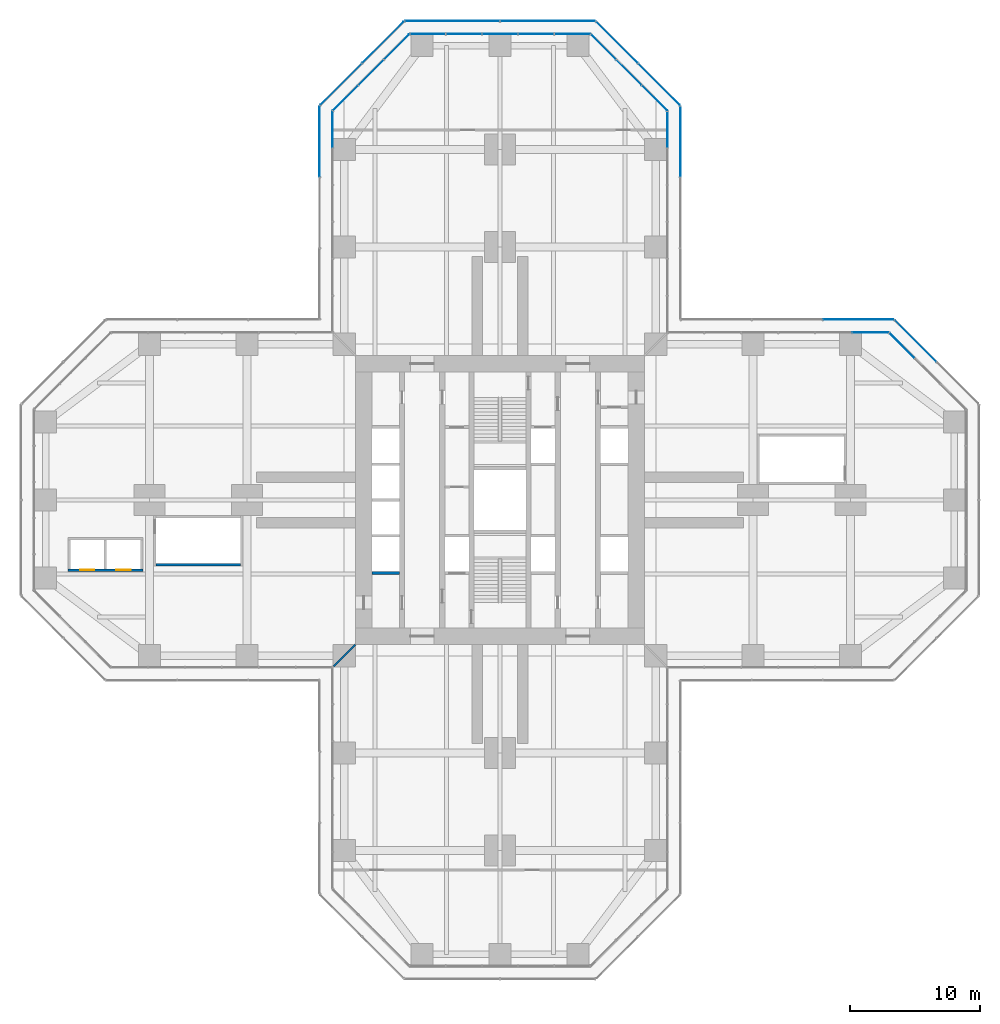
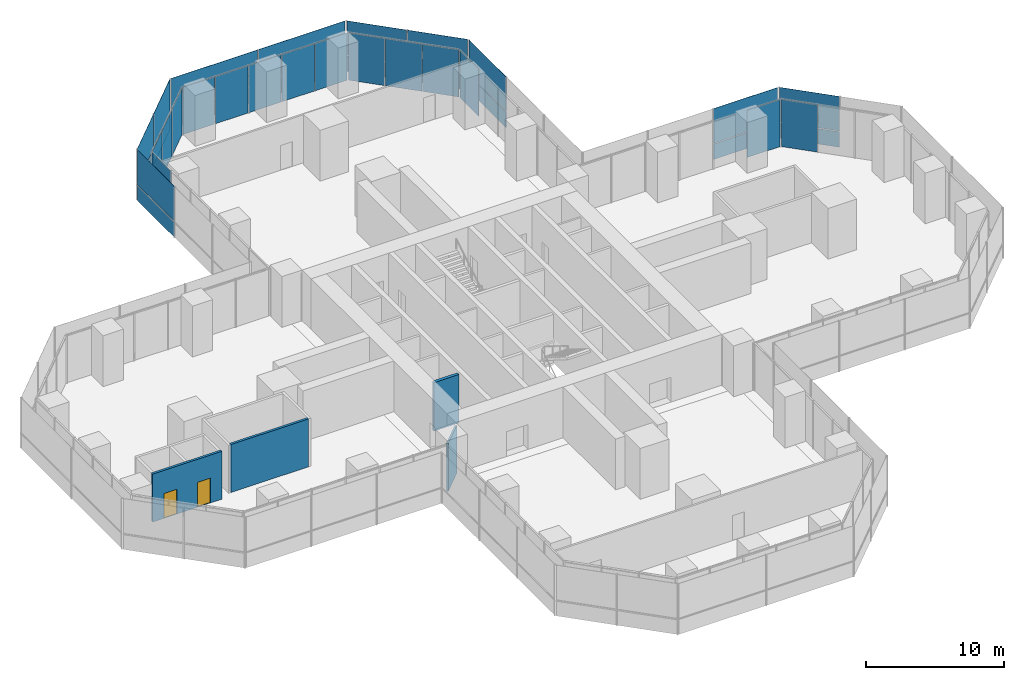
# One storey, part 16 of 21: 35 plates, 4 walls, 2 doors, 2 openings, 14 elements without a shape of their own.
"""IFC4 building model written with IfcOpenShell, lengths in metres."""

from ifc_helpers import new_model, si_unit, direction, frame, frame_2d, origin, origin_2d, place, context, subcontext, project, spatial, rectangle, extrude, material, layer, layer_set, type_object, element, fill, aggregate, save


model = new_model("IFC4")

# Units and contexts
model_context = context("Model", 3, precision=1e-05, world=origin(), true_north=direction((0.0, 1.0)))
body_context = subcontext(model_context, "Body", "Model", "MODEL_VIEW")
ifc_project = project(units=[si_unit("LENGTHUNIT", "METRE"), si_unit("AREAUNIT", "SQUARE_METRE"), si_unit("VOLUMEUNIT", "CUBIC_METRE"), si_unit("PLANEANGLEUNIT", "RADIAN"), si_unit("MASSUNIT", "GRAM", prefix="KILO")], contexts=[model_context])

# Site, building, storey
site_placement = place(None, origin())
site = spatial("IfcSite", under=ifc_project, at=site_placement, CompositionType="ELEMENT")
building_placement = place(site_placement, origin())
building = spatial("IfcBuilding", under=site, at=building_placement, Name="Mizan Broadcast Tower", CompositionType="ELEMENT")
storey_placement = place(building_placement, frame((0.0, 0.0, 33.0)))
storey = spatial("IfcBuildingStorey", under=building, at=storey_placement, Name="L05", CompositionType="ELEMENT", Elevation=33.0)

# Curtain wall, plates
ifc_material_1 = material(Name="Aluminium framed glazing", Category="aluminium")
curtain_wall_type_1 = type_object("IfcCurtainWallType", Name="OUTER SKIN", PredefinedType="USERDEFINED", material=ifc_material_1)
curtain_wall_1_placement = place(storey_placement, origin())
curtain_wall_1 = element("IfcCurtainWall", 1, at=curtain_wall_1_placement, inside=storey, type_object=curtain_wall_type_1, Name="Outer skin L05 E side", ObjectType="OUTER SKIN", PredefinedType="USERDEFINED")
ifc_material_2 = material(Name="Laminated clear glass", Category="glass")
ifc_layer_1 = layer(ifc_material_2, 0.02001953125)
ifc_layer_set_1 = layer_set([ifc_layer_1], Name="Laminated clear glass")
plate_type_1 = type_object("IfcPlateType", Name="OUTER SKIN CLEAR GLASS", PredefinedType="CURTAIN_PANEL", material=ifc_layer_set_1)
plate_1_placement = place(storey_placement, frame((27.607421875, 13.89990234375, 0.0), z_axis=(0.0, 0.0, 1.0), x_axis=(-1.0, 0.0, 0.0)))
plate_1 = element("IfcPlate", 2, at=plate_1_placement, type_object=plate_type_1, Name="Outer skin L05 E side panel 1.1", PredefinedType="CURTAIN_PANEL", context=body_context, shape_type="SweptSolid", body=[
    extrude(rectangle(XDim=5.370849609375, YDim=0.02001953125, at=origin_2d()), origin(), (0.0, 0.0, 1.0), 1.3701171875),
])
plate_2_placement = place(storey_placement, frame((27.607421875, 13.89990234375, 1.43017578125), z_axis=(0.0, 0.0, 1.0), x_axis=(-1.0, 0.0, 0.0)))
plate_2 = element("IfcPlate", 3, at=plate_2_placement, type_object=plate_type_1, Name="Outer skin L05 E side panel 1.2", PredefinedType="CURTAIN_PANEL", context=body_context, shape_type="SweptSolid", body=[
    extrude(rectangle(XDim=5.370849609375, YDim=0.02001953125, at=origin_2d()), origin(), (0.0, 0.0, 1.0), 3.070068359375),
])
aggregate(curtain_wall_1, [plate_1, plate_2])

curtain_wall_2_placement = place(storey_placement, origin())
curtain_wall_2 = element("IfcCurtainWall", 4, at=curtain_wall_2_placement, inside=storey, type_object=curtain_wall_type_1, Name="Outer skin L05 N side", ObjectType="OUTER SKIN", PredefinedType="USERDEFINED")
plate_3_placement = place(storey_placement, frame((13.89990234375, 27.607421875, 0.0), z_axis=(0.0, 0.0, 1.0), x_axis=(0.0, 1.0, 0.0)))
plate_3 = element("IfcPlate", 5, at=plate_3_placement, type_object=plate_type_1, Name="Outer skin L05 N side panel 3.1", PredefinedType="CURTAIN_PANEL", context=body_context, shape_type="SweptSolid", body=[
    extrude(rectangle(XDim=5.370849609375, YDim=0.02001953125, at=origin_2d()), origin(), (0.0, 0.0, 1.0), 1.3701171875),
])
plate_4_placement = place(storey_placement, frame((13.89990234375, 27.607421875, 1.43017578125), z_axis=(0.0, 0.0, 1.0), x_axis=(0.0, 1.0, 0.0)))
plate_4 = element("IfcPlate", 6, at=plate_4_placement, type_object=plate_type_1, Name="Outer skin L05 N side panel 3.2", PredefinedType="CURTAIN_PANEL", context=body_context, shape_type="SweptSolid", body=[
    extrude(rectangle(XDim=5.370849609375, YDim=0.02001953125, at=origin_2d()), origin(), (0.0, 0.0, 1.0), 3.070068359375),
])
aggregate(curtain_wall_2, [plate_3, plate_4])

curtain_wall_3_placement = place(storey_placement, origin())
curtain_wall_3 = element("IfcCurtainWall", 7, at=curtain_wall_3_placement, inside=storey, type_object=curtain_wall_type_1, Name="Outer skin L05 N chamfer", ObjectType="OUTER SKIN", PredefinedType="USERDEFINED")
plate_5_placement = place(storey_placement, frame((12.254150390625, 32.018798828125, 0.0), z_axis=(0.0, 0.0, 1.0), x_axis=(-0.707106781187, 0.707106781187, 0.0)))
plate_5 = element("IfcPlate", 8, at=plate_5_placement, type_object=plate_type_1, Name="Outer skin L05 N chamfer panel 1.1", PredefinedType="CURTAIN_PANEL", context=body_context, shape_type="SweptSolid", body=[
    extrude(rectangle(XDim=4.495361328125, YDim=0.02001953125, at=origin_2d()), origin(), (0.0, 0.0, 1.0), 1.3701171875),
])
plate_6_placement = place(storey_placement, frame((12.254150390625, 32.018798828125, 1.43017578125), z_axis=(0.0, 0.0, 1.0), x_axis=(-0.707106781187, 0.707106781187, 0.0)))
plate_6 = element("IfcPlate", 9, at=plate_6_placement, type_object=plate_type_1, Name="Outer skin L05 N chamfer panel 1.2", PredefinedType="CURTAIN_PANEL", context=body_context, shape_type="SweptSolid", body=[
    extrude(rectangle(XDim=4.495361328125, YDim=0.02001953125, at=origin_2d()), origin(), (0.0, 0.0, 1.0), 3.070068359375),
])

curtain_wall_4_placement = place(storey_placement, origin())
curtain_wall_4 = element("IfcCurtainWall", 10, at=curtain_wall_4_placement, inside=storey, type_object=curtain_wall_type_1, Name="Outer skin L05 N end", ObjectType="OUTER SKIN", PredefinedType="USERDEFINED")
plate_7_placement = place(storey_placement, frame((3.66650390625, 36.89990234375, 0.0), z_axis=(0.0, 0.0, 1.0), x_axis=(-1.0, 0.0, 0.0)))
plate_7 = element("IfcPlate", 11, at=plate_7_placement, type_object=plate_type_1, Name="Outer skin L05 N end panel 1.1", PredefinedType="CURTAIN_PANEL", context=body_context, shape_type="SweptSolid", body=[
    extrude(rectangle(XDim=7.252685546875, YDim=0.02001953125, at=origin_2d()), origin(), (0.0, 0.0, 1.0), 1.3701171875),
])
plate_8_placement = place(storey_placement, frame((3.66650390625, 36.89990234375, 1.43017578125), z_axis=(0.0, 0.0, 1.0), x_axis=(-1.0, 0.0, 0.0)))
plate_8 = element("IfcPlate", 12, at=plate_8_placement, type_object=plate_type_1, Name="Outer skin L05 N end panel 1.2", PredefinedType="CURTAIN_PANEL", context=body_context, shape_type="SweptSolid", body=[
    extrude(rectangle(XDim=7.252685546875, YDim=0.02001953125, at=origin_2d()), origin(), (0.0, 0.0, 1.0), 3.070068359375),
])
plate_9_placement = place(storey_placement, frame((-3.66650390625, 36.89990234375, 0.0), z_axis=(0.0, 0.0, 1.0), x_axis=(-1.0, 0.0, 0.0)))
plate_9 = element("IfcPlate", 13, at=plate_9_placement, type_object=plate_type_1, Name="Outer skin L05 N end panel 2.1", PredefinedType="CURTAIN_PANEL", context=body_context, shape_type="SweptSolid", body=[
    extrude(rectangle(XDim=7.252685546875, YDim=0.02001953125, at=origin_2d()), origin(), (0.0, 0.0, 1.0), 1.3701171875),
])
plate_10_placement = place(storey_placement, frame((-3.66650390625, 36.89990234375, 1.43017578125), z_axis=(0.0, 0.0, 1.0), x_axis=(-1.0, 0.0, 0.0)))
plate_10 = element("IfcPlate", 14, at=plate_10_placement, type_object=plate_type_1, Name="Outer skin L05 N end panel 2.2", PredefinedType="CURTAIN_PANEL", context=body_context, shape_type="SweptSolid", body=[
    extrude(rectangle(XDim=7.252685546875, YDim=0.02001953125, at=origin_2d()), origin(), (0.0, 0.0, 1.0), 3.070068359375),
])
aggregate(curtain_wall_4, [plate_7, plate_8, plate_9, plate_10])

curtain_wall_5_placement = place(storey_placement, origin())
curtain_wall_5 = element("IfcCurtainWall", 15, at=curtain_wall_5_placement, inside=storey, type_object=curtain_wall_type_1, Name="Outer skin L05 N chamfer", ObjectType="OUTER SKIN", PredefinedType="USERDEFINED")
plate_11_placement = place(storey_placement, frame((-9.018798828125, 35.254150390625, 0.0), z_axis=(0.0, 0.0, 1.0), x_axis=(-0.707106781187, -0.707106781187, 0.0)))
plate_11 = element("IfcPlate", 16, at=plate_11_placement, type_object=plate_type_1, Name="Outer skin L05 N chamfer panel 1.1", PredefinedType="CURTAIN_PANEL", context=body_context, shape_type="SweptSolid", body=[
    extrude(rectangle(XDim=4.495361328125, YDim=0.02001953125, at=origin_2d()), origin(), (0.0, 0.0, 1.0), 1.3701171875),
])
plate_12_placement = place(storey_placement, frame((-9.018798828125, 35.254150390625, 1.43017578125), z_axis=(0.0, 0.0, 1.0), x_axis=(-0.707106781187, -0.707106781187, 0.0)))
plate_12 = element("IfcPlate", 17, at=plate_12_placement, type_object=plate_type_1, Name="Outer skin L05 N chamfer panel 1.2", PredefinedType="CURTAIN_PANEL", context=body_context, shape_type="SweptSolid", body=[
    extrude(rectangle(XDim=4.495361328125, YDim=0.02001953125, at=origin_2d()), origin(), (0.0, 0.0, 1.0), 3.070068359375),
])

curtain_wall_6_placement = place(storey_placement, origin())
curtain_wall_6 = element("IfcCurtainWall", 18, at=curtain_wall_6_placement, inside=storey, type_object=curtain_wall_type_1, Name="Outer skin L05 N side", ObjectType="OUTER SKIN", PredefinedType="USERDEFINED")
plate_13_placement = place(storey_placement, frame((-13.89990234375, 27.607421875, 0.0), z_axis=(0.0, 0.0, 1.0), x_axis=(0.0, -1.0, 0.0)))
plate_13 = element("IfcPlate", 19, at=plate_13_placement, type_object=plate_type_1, Name="Outer skin L05 N side panel 1.1", PredefinedType="CURTAIN_PANEL", context=body_context, shape_type="SweptSolid", body=[
    extrude(rectangle(XDim=5.370849609375, YDim=0.02001953125, at=origin_2d()), origin(), (0.0, 0.0, 1.0), 1.3701171875),
])
plate_14_placement = place(storey_placement, frame((-13.89990234375, 27.607421875, 1.43017578125), z_axis=(0.0, 0.0, 1.0), x_axis=(0.0, -1.0, 0.0)))
plate_14 = element("IfcPlate", 20, at=plate_14_placement, type_object=plate_type_1, Name="Outer skin L05 N side panel 1.2", PredefinedType="CURTAIN_PANEL", context=body_context, shape_type="SweptSolid", body=[
    extrude(rectangle(XDim=5.370849609375, YDim=0.02001953125, at=origin_2d()), origin(), (0.0, 0.0, 1.0), 3.070068359375),
])
aggregate(curtain_wall_6, [plate_13, plate_14])

curtain_wall_7_placement = place(storey_placement, origin())
curtain_wall_7 = element("IfcCurtainWall", 21, at=curtain_wall_7_placement, inside=storey, type_object=curtain_wall_type_1, Name="Outer skin L05 E chamfer", ObjectType="OUTER SKIN", PredefinedType="USERDEFINED")
ifc_material_3 = material(Name="Perforated aluminium, pale anodised", Category="aluminium")
ifc_layer_2 = layer(ifc_material_3, 0.011962890625)
ifc_layer_set_2 = layer_set([ifc_layer_2], Name="Perforated aluminium, pale anodised")
plate_type_2 = type_object("IfcPlateType", Name="OUTER SKIN PERFORATED SCREEN", PredefinedType="USERDEFINED", material=ifc_layer_set_2)
plate_15_placement = place(storey_placement, frame((32.018798828125, 12.254150390625, 0.0), z_axis=(0.0, 0.0, 1.0), x_axis=(-0.707106781187, 0.707106781187, 0.0)))
plate_15 = element("IfcPlate", 22, at=plate_15_placement, type_object=plate_type_2, Name="Outer skin L05 E chamfer panel 2.1", ObjectType="SCREEN", PredefinedType="USERDEFINED", context=body_context, shape_type="SweptSolid", body=[
    extrude(rectangle(XDim=4.495361328125, YDim=0.011962890625, at=origin_2d()), origin(), (0.0, 0.0, 1.0), 1.3701171875),
])
plate_16_placement = place(storey_placement, frame((32.018798828125, 12.254150390625, 1.43017578125), z_axis=(0.0, 0.0, 1.0), x_axis=(-0.707106781187, 0.707106781187, 0.0)))
plate_16 = element("IfcPlate", 23, at=plate_16_placement, type_object=plate_type_2, Name="Outer skin L05 E chamfer panel 2.2", ObjectType="SCREEN", PredefinedType="USERDEFINED", context=body_context, shape_type="SweptSolid", body=[
    extrude(rectangle(XDim=4.495361328125, YDim=0.011962890625, at=origin_2d()), origin(), (0.0, 0.0, 1.0), 3.070068359375),
])
aggregate(curtain_wall_7, [plate_15, plate_16])

# Plate
plate_17_placement = place(storey_placement, frame((9.018798828125, 35.254150390625, 0.0), z_axis=(0.0, 0.0, 1.0), x_axis=(-0.707106781187, 0.707106781187, 0.0)))
plate_17 = element("IfcPlate", 24, at=plate_17_placement, type_object=plate_type_2, Name="Outer skin L05 N chamfer panel 2.1", ObjectType="SCREEN", PredefinedType="USERDEFINED", context=body_context, shape_type="SweptSolid", body=[
    extrude(rectangle(XDim=4.495361328125, YDim=0.011962890625, at=origin_2d()), origin(), (0.0, 0.0, 1.0), 1.3701171875),
])

plate_18_placement = place(storey_placement, frame((9.018798828125, 35.254150390625, 1.43017578125), z_axis=(0.0, 0.0, 1.0), x_axis=(-0.707106781187, 0.707106781187, 0.0)))
plate_18 = element("IfcPlate", 25, at=plate_18_placement, type_object=plate_type_2, Name="Outer skin L05 N chamfer panel 2.2", ObjectType="SCREEN", PredefinedType="USERDEFINED", context=body_context, shape_type="SweptSolid", body=[
    extrude(rectangle(XDim=4.495361328125, YDim=0.011962890625, at=origin_2d()), origin(), (0.0, 0.0, 1.0), 3.070068359375),
])

aggregate(curtain_wall_3, [plate_5, plate_6, plate_17, plate_18])

plate_19_placement = place(storey_placement, frame((-12.254150390625, 32.018798828125, 0.0), z_axis=(0.0, 0.0, 1.0), x_axis=(-0.707106781187, -0.707106781187, 0.0)))
plate_19 = element("IfcPlate", 26, at=plate_19_placement, type_object=plate_type_2, Name="Outer skin L05 N chamfer panel 2.1", ObjectType="SCREEN", PredefinedType="USERDEFINED", context=body_context, shape_type="SweptSolid", body=[
    extrude(rectangle(XDim=4.495361328125, YDim=0.011962890625, at=origin_2d()), origin(), (0.0, 0.0, 1.0), 1.3701171875),
])

plate_20_placement = place(storey_placement, frame((-12.254150390625, 32.018798828125, 1.43017578125), z_axis=(0.0, 0.0, 1.0), x_axis=(-0.707106781187, -0.707106781187, 0.0)))
plate_20 = element("IfcPlate", 27, at=plate_20_placement, type_object=plate_type_2, Name="Outer skin L05 N chamfer panel 2.2", ObjectType="SCREEN", PredefinedType="USERDEFINED", context=body_context, shape_type="SweptSolid", body=[
    extrude(rectangle(XDim=4.495361328125, YDim=0.011962890625, at=origin_2d()), origin(), (0.0, 0.0, 1.0), 3.070068359375),
])

aggregate(curtain_wall_5, [plate_11, plate_12, plate_19, plate_20])

# Curtain wall, plate
ifc_material_4 = material(Name="Aluminium framed glazing", Category="aluminium")
curtain_wall_type_2 = type_object("IfcCurtainWallType", Name="PODIUM CURTAIN WALL", PredefinedType="USERDEFINED", material=ifc_material_4)
curtain_wall_8_placement = place(storey_placement, origin())
curtain_wall_8 = element("IfcCurtainWall", 28, at=curtain_wall_8_placement, inside=storey, type_object=curtain_wall_type_2, Name="Podium curtain wall L05 E chamfer", ObjectType="PODIUM CURTAIN WALL", PredefinedType="USERDEFINED")
ifc_material_5 = material(Name="Double glazing, clear laminated", Category="glass")
ifc_layer_3 = layer(ifc_material_5, 0.031982421875)
ifc_layer_set_3 = layer_set([ifc_layer_3], Name="Double glazing, clear laminated")
plate_type_3 = type_object("IfcPlateType", Name="PODIUM GLAZING UNIT", PredefinedType="CURTAIN_PANEL", material=ifc_layer_set_3)
plate_21_placement = place(storey_placement, frame((30.95947265625, 11.899169921875, 0.0), z_axis=(0.0, 0.0, 1.0), x_axis=(-0.707106781187, 0.707106781187, 0.0)))
plate_21 = element("IfcPlate", 29, at=plate_21_placement, type_object=plate_type_3, Name="Podium curtain wall L05 E chamfer panel 3.1", PredefinedType="CURTAIN_PANEL", context=body_context, shape_type="SweptSolid", body=[
    extrude(rectangle(XDim=2.710693359375, YDim=0.031982421875, at=origin_2d()), origin(), (0.0, 0.0, 1.0), 4.18994140625),
])
aggregate(curtain_wall_8, [plate_21])

curtain_wall_9_placement = place(storey_placement, origin())
curtain_wall_9 = element("IfcCurtainWall", 30, at=curtain_wall_9_placement, inside=storey, type_object=curtain_wall_type_2, Name="Podium curtain wall L05 E side", ObjectType="PODIUM CURTAIN WALL", PredefinedType="USERDEFINED")
plate_22_placement = place(storey_placement, frame((28.52197265625, 12.89990234375, 0.0), z_axis=(0.0, 0.0, 1.0), x_axis=(-1.0, 0.0, 0.0)))
plate_22 = element("IfcPlate", 31, at=plate_22_placement, type_object=plate_type_3, Name="Podium curtain wall L05 E side panel 1.1", PredefinedType="CURTAIN_PANEL", context=body_context, shape_type="SweptSolid", body=[
    extrude(rectangle(XDim=2.753173828125, YDim=0.031982421875, at=origin_2d()), origin(), (0.0, 0.0, 1.0), 4.18994140625),
])
aggregate(curtain_wall_9, [plate_22])

curtain_wall_10_placement = place(storey_placement, origin())
curtain_wall_10 = element("IfcCurtainWall", 32, at=curtain_wall_10_placement, inside=storey, type_object=curtain_wall_type_2, Name="Podium curtain wall L05 N side", ObjectType="PODIUM CURTAIN WALL", PredefinedType="USERDEFINED")
plate_23_placement = place(storey_placement, frame((12.89990234375, 28.52197265625, 0.0), z_axis=(0.0, 0.0, 1.0), x_axis=(0.0, 1.0, 0.0)))
plate_23 = element("IfcPlate", 33, at=plate_23_placement, type_object=plate_type_3, Name="Podium curtain wall L05 N side panel 6.1", PredefinedType="CURTAIN_PANEL", context=body_context, shape_type="SweptSolid", body=[
    extrude(rectangle(XDim=2.753173828125, YDim=0.031982421875, at=origin_2d()), origin(), (0.0, 0.0, 1.0), 4.18994140625),
])
aggregate(curtain_wall_10, [plate_23])

# Curtain wall, plates
curtain_wall_11_placement = place(storey_placement, origin())
curtain_wall_11 = element("IfcCurtainWall", 34, at=curtain_wall_11_placement, inside=storey, type_object=curtain_wall_type_2, Name="Podium curtain wall L05 N chamfer", ObjectType="PODIUM CURTAIN WALL", PredefinedType="USERDEFINED")
plate_24_placement = place(storey_placement, frame((11.899169921875, 30.95947265625, 0.0), z_axis=(0.0, 0.0, 1.0), x_axis=(-0.707106781187, 0.707106781187, 0.0)))
plate_24 = element("IfcPlate", 35, at=plate_24_placement, type_object=plate_type_3, Name="Podium curtain wall L05 N chamfer panel 1.1", PredefinedType="CURTAIN_PANEL", context=body_context, shape_type="SweptSolid", body=[
    extrude(rectangle(XDim=2.710693359375, YDim=0.031982421875, at=origin_2d()), origin(), (0.0, 0.0, 1.0), 4.18994140625),
])
plate_25_placement = place(storey_placement, frame((9.92919921875, 32.92919921875, 0.0), z_axis=(0.0, 0.0, 1.0), x_axis=(-0.707106781187, 0.707106781187, 0.0)))
plate_25 = element("IfcPlate", 36, at=plate_25_placement, type_object=plate_type_3, Name="Podium curtain wall L05 N chamfer panel 2.1", PredefinedType="CURTAIN_PANEL", context=body_context, shape_type="SweptSolid", body=[
    extrude(rectangle(XDim=2.74072265625, YDim=0.031982421875, at=origin_2d()), origin(), (0.0, 0.0, 1.0), 4.18994140625),
])
plate_26_placement = place(storey_placement, frame((7.95947265625, 34.899169921875, 0.0), z_axis=(0.0, 0.0, 1.0), x_axis=(-0.707106781187, 0.707106781187, 0.0)))
plate_26 = element("IfcPlate", 37, at=plate_26_placement, type_object=plate_type_3, Name="Podium curtain wall L05 N chamfer panel 3.1", PredefinedType="CURTAIN_PANEL", context=body_context, shape_type="SweptSolid", body=[
    extrude(rectangle(XDim=2.710693359375, YDim=0.031982421875, at=origin_2d()), origin(), (0.0, 0.0, 1.0), 4.18994140625),
])
aggregate(curtain_wall_11, [plate_24, plate_25, plate_26])

curtain_wall_12_placement = place(storey_placement, origin())
curtain_wall_12 = element("IfcCurtainWall", 38, at=curtain_wall_12_placement, inside=storey, type_object=curtain_wall_type_2, Name="Podium curtain wall L05 N end", ObjectType="PODIUM CURTAIN WALL", PredefinedType="USERDEFINED")
plate_27_placement = place(storey_placement, frame((5.5517578125, 35.89990234375, 0.0), z_axis=(0.0, 0.0, 1.0), x_axis=(-1.0, 0.0, 0.0)))
plate_27 = element("IfcPlate", 39, at=plate_27_placement, type_object=plate_type_3, Name="Podium curtain wall L05 N end panel 1.1", PredefinedType="CURTAIN_PANEL", context=body_context, shape_type="SweptSolid", body=[
    extrude(rectangle(XDim=2.693359375, YDim=0.031982421875, at=origin_2d()), origin(), (0.0, 0.0, 1.0), 4.18994140625),
])
plate_28_placement = place(storey_placement, frame((2.783447265625, 35.89990234375, 0.0), z_axis=(0.0, 0.0, 1.0), x_axis=(-1.0, 0.0, 0.0)))
plate_28 = element("IfcPlate", 40, at=plate_28_placement, type_object=plate_type_3, Name="Podium curtain wall L05 N end panel 2.1", PredefinedType="CURTAIN_PANEL", context=body_context, shape_type="SweptSolid", body=[
    extrude(rectangle(XDim=2.723388671875, YDim=0.031982421875, at=origin_2d()), origin(), (0.0, 0.0, 1.0), 4.18994140625),
])
plate_29_placement = place(storey_placement, frame((0.0, 35.89990234375, 0.0), z_axis=(0.0, 0.0, 1.0), x_axis=(-1.0, 0.0, 0.0)))
plate_29 = element("IfcPlate", 41, at=plate_29_placement, type_object=plate_type_3, Name="Podium curtain wall L05 N end panel 3.1", PredefinedType="CURTAIN_PANEL", context=body_context, shape_type="SweptSolid", body=[
    extrude(rectangle(XDim=2.723388671875, YDim=0.031982421875, at=origin_2d()), origin(), (0.0, 0.0, 1.0), 4.18994140625),
])
plate_30_placement = place(storey_placement, frame((-2.783447265625, 35.89990234375, 0.0), z_axis=(0.0, 0.0, 1.0), x_axis=(-1.0, 0.0, 0.0)))
plate_30 = element("IfcPlate", 42, at=plate_30_placement, type_object=plate_type_3, Name="Podium curtain wall L05 N end panel 4.1", PredefinedType="CURTAIN_PANEL", context=body_context, shape_type="SweptSolid", body=[
    extrude(rectangle(XDim=2.723388671875, YDim=0.031982421875, at=origin_2d()), origin(), (0.0, 0.0, 1.0), 4.18994140625),
])
plate_31_placement = place(storey_placement, frame((-5.5517578125, 35.89990234375, 0.0), z_axis=(0.0, 0.0, 1.0), x_axis=(-1.0, 0.0, 0.0)))
plate_31 = element("IfcPlate", 43, at=plate_31_placement, type_object=plate_type_3, Name="Podium curtain wall L05 N end panel 5.1", PredefinedType="CURTAIN_PANEL", context=body_context, shape_type="SweptSolid", body=[
    extrude(rectangle(XDim=2.693359375, YDim=0.031982421875, at=origin_2d()), origin(), (0.0, 0.0, 1.0), 4.18994140625),
])
aggregate(curtain_wall_12, [plate_27, plate_28, plate_29, plate_30, plate_31])

curtain_wall_13_placement = place(storey_placement, origin())
curtain_wall_13 = element("IfcCurtainWall", 44, at=curtain_wall_13_placement, inside=storey, type_object=curtain_wall_type_2, Name="Podium curtain wall L05 N chamfer", ObjectType="PODIUM CURTAIN WALL", PredefinedType="USERDEFINED")
plate_32_placement = place(storey_placement, frame((-7.95947265625, 34.899169921875, 0.0), z_axis=(0.0, 0.0, 1.0), x_axis=(-0.707106781187, -0.707106781187, 0.0)))
plate_32 = element("IfcPlate", 45, at=plate_32_placement, type_object=plate_type_3, Name="Podium curtain wall L05 N chamfer panel 1.1", PredefinedType="CURTAIN_PANEL", context=body_context, shape_type="SweptSolid", body=[
    extrude(rectangle(XDim=2.710693359375, YDim=0.031982421875, at=origin_2d()), origin(), (0.0, 0.0, 1.0), 4.18994140625),
])
plate_33_placement = place(storey_placement, frame((-9.92919921875, 32.92919921875, 0.0), z_axis=(0.0, 0.0, 1.0), x_axis=(-0.707106781187, -0.707106781187, 0.0)))
plate_33 = element("IfcPlate", 46, at=plate_33_placement, type_object=plate_type_3, Name="Podium curtain wall L05 N chamfer panel 2.1", PredefinedType="CURTAIN_PANEL", context=body_context, shape_type="SweptSolid", body=[
    extrude(rectangle(XDim=2.74072265625, YDim=0.031982421875, at=origin_2d()), origin(), (0.0, 0.0, 1.0), 4.18994140625),
])
plate_34_placement = place(storey_placement, frame((-11.899169921875, 30.95947265625, 0.0), z_axis=(0.0, 0.0, 1.0), x_axis=(-0.707106781187, -0.707106781187, 0.0)))
plate_34 = element("IfcPlate", 47, at=plate_34_placement, type_object=plate_type_3, Name="Podium curtain wall L05 N chamfer panel 3.1", PredefinedType="CURTAIN_PANEL", context=body_context, shape_type="SweptSolid", body=[
    extrude(rectangle(XDim=2.710693359375, YDim=0.031982421875, at=origin_2d()), origin(), (0.0, 0.0, 1.0), 4.18994140625),
])
aggregate(curtain_wall_13, [plate_32, plate_33, plate_34])

# Curtain wall, plate
curtain_wall_14_placement = place(storey_placement, origin())
curtain_wall_14 = element("IfcCurtainWall", 48, at=curtain_wall_14_placement, inside=storey, type_object=curtain_wall_type_2, Name="Podium curtain wall L05 N side", ObjectType="PODIUM CURTAIN WALL", PredefinedType="USERDEFINED")
plate_35_placement = place(storey_placement, frame((-12.89990234375, 28.52197265625, 0.0), z_axis=(0.0, 0.0, 1.0), x_axis=(0.0, -1.0, 0.0)))
plate_35 = element("IfcPlate", 49, at=plate_35_placement, type_object=plate_type_3, Name="Podium curtain wall L05 N side panel 1.1", PredefinedType="CURTAIN_PANEL", context=body_context, shape_type="SweptSolid", body=[
    extrude(rectangle(XDim=2.753173828125, YDim=0.031982421875, at=origin_2d()), origin(), (0.0, 0.0, 1.0), 4.18994140625),
])
aggregate(curtain_wall_14, [plate_35])

# Wall, openings, doors
ifc_material_6 = material(Name="Concrete blockwork", Category="masonry")
ifc_layer_4 = layer(ifc_material_6, 0.199951171875)
ifc_layer_set_4 = layer_set([ifc_layer_4], Name="Concrete blockwork")
wall_type_1 = type_object("IfcWallType", Name="LIFT SHAFT WALL 200", PredefinedType="SOLIDWALL", material=ifc_layer_set_4)
wall_1_placement = place(storey_placement, frame((-33.300048828125, -5.39990234375, 0.0), z_axis=(0.0, 0.0, 1.0), x_axis=(1.0, 0.0, 0.0)))
wall_1 = element("IfcWall", 50, at=wall_1_placement, inside=storey, type_object=wall_type_1, Name="Lift shaft wall PLS/V1", PredefinedType="SOLIDWALL", context=body_context, shape_type="SweptSolid", body=[
    extrude(rectangle(XDim=5.800048828125, YDim=0.199951171875, at=frame_2d((2.89990234375, 0.0))), origin(), (0.0, 0.0, 1.0), 4.25),
])
opening_1_placement = place(wall_1_placement, frame((3.75, 0.0, 0.0)))
opening_1 = element("IfcOpeningElement", 51, at=opening_1_placement, cuts=wall_1, Name="Opening LDP", PredefinedType="OPENING", context=body_context, shape_type="SweptSolid", body=[
    extrude(rectangle(XDim=1.10009765625, YDim=2.199951171875, at=frame_2d((0.550048828125, 1.10009765625))), frame((0.0, 0.10986328125, 0.0), z_axis=(0.0, -1.0, 0.0), x_axis=(1.0, 0.0, 0.0)), (0.0, 0.0, 1.0), 0.219970703125),
])
opening_2_placement = place(wall_1_placement, frame((0.949951171875, 0.0, 0.0)))
opening_2 = element("IfcOpeningElement", 52, at=opening_2_placement, cuts=wall_1, Name="Opening LDP", PredefinedType="OPENING", context=body_context, shape_type="SweptSolid", body=[
    extrude(rectangle(XDim=1.10009765625, YDim=2.199951171875, at=frame_2d((0.550048828125, 1.10009765625))), frame((0.0, 0.10986328125, 0.0), z_axis=(0.0, -1.0, 0.0), x_axis=(1.0, 0.0, 0.0)), (0.0, 0.0, 1.0), 0.219970703125),
])
ifc_material_7 = material(Name="Steel door leaf in steel frame", Category="steel")
door_type = type_object("IfcDoorType", Name="PODIUM LIFT LANDING DOOR 1100", OperationType="SLIDING_TO_LEFT", PredefinedType="DOOR", material=ifc_material_7)
door_1_placement = place(opening_1_placement, origin())
door_1 = element("IfcDoor", 53, at=door_1_placement, inside=storey, type_object=door_type, Name="Landing door PL1", OperationType="SLIDING_TO_LEFT", OverallHeight=2.199951171875, OverallWidth=1.10009765625, PredefinedType="DOOR", context=body_context, shape_type="SweptSolid", body=[
    extrude(rectangle(XDim=1.10009765625, YDim=2.199951171875, at=frame_2d((0.550048828125, 1.10009765625))), frame((0.0, 0.02490234375, 0.0), z_axis=(0.0, -1.0, 0.0), x_axis=(1.0, 0.0, 0.0)), (0.0, 0.0, 1.0), 0.050048828125),
])
fill(opening_1, door_1)
door_2_placement = place(opening_2_placement, origin())
door_2 = element("IfcDoor", 54, at=door_2_placement, inside=storey, type_object=door_type, Name="Landing door PL2", OperationType="SLIDING_TO_LEFT", OverallHeight=2.199951171875, OverallWidth=1.10009765625, PredefinedType="DOOR", context=body_context, shape_type="SweptSolid", body=[
    extrude(rectangle(XDim=1.10009765625, YDim=2.199951171875, at=frame_2d((0.550048828125, 1.10009765625))), frame((0.0, 0.02490234375, 0.0), z_axis=(0.0, -1.0, 0.0), x_axis=(1.0, 0.0, 0.0)), (0.0, 0.0, 1.0), 0.050048828125),
])
fill(opening_2, door_2)

# Walls
ifc_material_8 = material(Name="Concrete blockwork", Category="masonry")
ifc_layer_5 = layer(ifc_material_8, 0.25)
ifc_layer_set_5 = layer_set([ifc_layer_5], Name="Concrete blockwork")
wall_type_2 = type_object("IfcWallType", Name="LOBBY ENCLOSURE WALL 250", PredefinedType="SOLIDWALL", material=ifc_layer_set_5)
wall_2_placement = place(storey_placement, frame((-9.85009765625, -5.625, 0.0), z_axis=(0.0, 0.0, 1.0), x_axis=(1.0, 0.0, 0.0)))
element("IfcWall", 55, at=wall_2_placement, inside=storey, type_object=wall_type_2, Name="Lobby enclosure wall CORE/BW1S", PredefinedType="SOLIDWALL", context=body_context, shape_type="SweptSolid", body=[
    extrude(rectangle(XDim=2.10009765625, YDim=0.25, at=frame_2d((1.050048828125, 0.0))), origin(), (0.0, 0.0, 1.0), 4.300048828125),
])
ifc_material_9 = material(Name="Gypsum board on steel studs", Category="steel")
ifc_layer_6 = layer(ifc_material_9, 0.14990234375)
ifc_layer_set_6 = layer_set([ifc_layer_6], Name="Gypsum board on steel studs")
wall_type_3 = type_object("IfcWallType", Name="PARTITION 150", PredefinedType="PARTITIONING", material=ifc_layer_set_6)
wall_3_placement = place(storey_placement, frame((-11.14990234375, -11.14990234375, 0.0), z_axis=(0.0, 0.0, 1.0), x_axis=(-0.707106781187, -0.707106781187, 0.0)))
element("IfcWall", 56, at=wall_3_placement, inside=storey, type_object=wall_type_3, Name="Partition PT/DGWS", PredefinedType="PARTITIONING", context=body_context, shape_type="SweptSolid", body=[
    extrude(rectangle(XDim=2.362060546875, YDim=0.14990234375, at=frame_2d((1.18115234375, 0.0))), origin(), (0.0, 0.0, 1.0), 4.25),
])
ifc_material_10 = material(Name="Concrete C40/50", Category="concrete")
ifc_layer_7 = layer(ifc_material_10, 0.199951171875)
ifc_layer_set_7 = layer_set([ifc_layer_7], Name="Concrete C40/50")
wall_type_4 = type_object("IfcWallType", Name="STAIR SHAFT WALL 200 RC", PredefinedType="SOLIDWALL", material=ifc_layer_set_7)
wall_4_placement = place(storey_placement, frame((-26.5, -5.0, 0.0), z_axis=(0.0, 0.0, 1.0), x_axis=(1.0, 0.0, 0.0)))
element("IfcWall", 57, at=wall_4_placement, inside=storey, type_object=wall_type_4, Name="Stair shaft wall PS/W/V1", PredefinedType="SOLIDWALL", context=body_context, shape_type="SweptSolid", body=[
    extrude(rectangle(XDim=6.5, YDim=0.199951171875, at=frame_2d((3.25, 0.0))), origin(), (0.0, 0.0, 1.0), 4.25),
])

save(model, "model.ifc")
